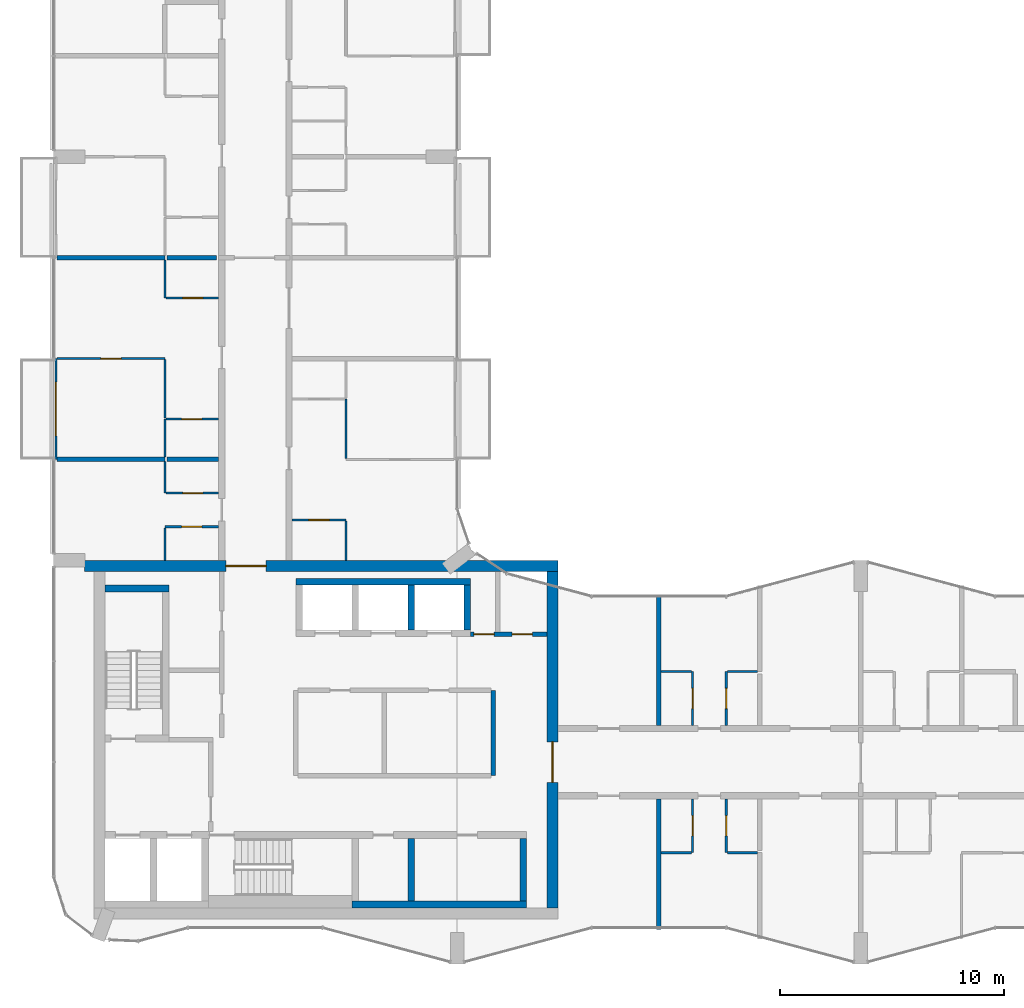
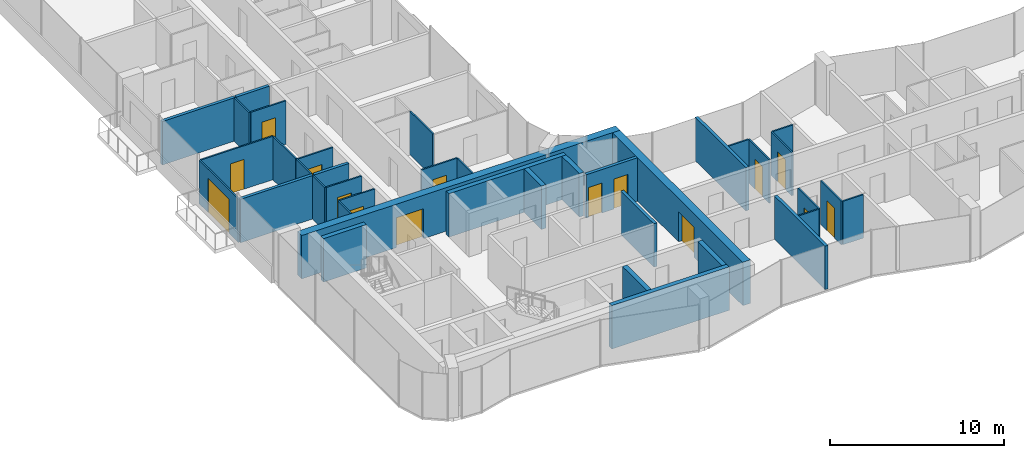
# One storey, part 10 of 17: 39 walls, 15 doors, 15 openings.
"""IFC4 building model written with IfcOpenShell, lengths in metres."""

from ifc_helpers import new_model, si_unit, direction, frame, frame_2d, origin, place, context, subcontext, project, spatial, rectangle, extrude, material, layer, layer_set, type_object, element, fill, save


model = new_model("IFC4")

# Units and contexts
model_context = context("Model", 3, precision=1e-05, world=origin(), true_north=direction((0.0, 1.0)))
body_context = subcontext(model_context, "Body", "Model", "MODEL_VIEW")
ifc_project = project(units=[si_unit("LENGTHUNIT", "METRE"), si_unit("AREAUNIT", "SQUARE_METRE"), si_unit("VOLUMEUNIT", "CUBIC_METRE"), si_unit("PLANEANGLEUNIT", "RADIAN"), si_unit("MASSUNIT", "GRAM", prefix="KILO")], contexts=[model_context])

# Site, building, storey
site_placement = place(None, origin())
site = spatial("IfcSite", under=ifc_project, at=site_placement, CompositionType="ELEMENT")
building_placement = place(site_placement, origin())
building = spatial("IfcBuilding", under=site, at=building_placement, Name="Plateau Cross Towers", CompositionType="ELEMENT")
storey_placement = place(building_placement, frame((0.0, 0.0, 225.89990234375)))
storey = spatial("IfcBuildingStorey", under=building, at=storey_placement, Name="L59", CompositionType="ELEMENT", Elevation=225.89990234375)

# Wall, opening, door
ifc_material_1 = material(Name="Aluminium framed glazing", Category="aluminium")
ifc_layer_1 = layer(ifc_material_1, 0.10009765625)
ifc_layer_set_1 = layer_set([ifc_layer_1], Name="Aluminium framed glazing")
wall_type_1 = type_object("IfcWallType", Name="Balcony screen wall 100", PredefinedType="STANDARD", material=ifc_layer_set_1)
wall_1_placement = place(storey_placement, frame((0.10009765625, 22.5, 0.0), z_axis=(0.0, 0.0, 1.0), x_axis=(0.0, 1.0, 0.0)))
wall_1 = element("IfcWall", 1, at=wall_1_placement, inside=storey, type_object=wall_type_1, Name="Balcony screen wall A-BAL-L59-01", PredefinedType="STANDARD", context=body_context, shape_type="SweptSolid", body=[
    extrude(rectangle(XDim=4.5, YDim=0.10009765625, at=frame_2d((2.25, 0.0))), origin(), (0.0, 0.0, 1.0), 3.050048828125),
])
opening_1_placement = place(wall_1_placement, frame((1.050048828125, 0.0, 0.0)))
opening_1 = element("IfcOpeningElement", 2, at=opening_1_placement, cuts=wall_1, Name="Opening D-B24", PredefinedType="OPENING", context=body_context, shape_type="SweptSolid", body=[
    extrude(rectangle(XDim=2.39990234375, YDim=2.39990234375, at=frame_2d((1.199951171875, 1.199951171875))), frame((0.0, 0.06005859375, 0.0), z_axis=(0.0, -1.0, 0.0), x_axis=(1.0, 0.0, 0.0)), (0.0, 0.0, 1.0), 0.1201171875),
])
ifc_material_2 = material(Name="Aluminium frame, double glazing", Category="aluminium")
door_type_1 = type_object("IfcDoorType", Name="Balcony sliding door 2400", OperationType="NOTDEFINED", PredefinedType="DOOR", material=ifc_material_2)
door_1_placement = place(opening_1_placement, origin())
door_1 = element("IfcDoor", 3, at=door_1_placement, inside=storey, type_object=door_type_1, Name="Balcony door A-BAL-L59-01", OperationType="SINGLE_SWING_LEFT", OverallHeight=2.39990234375, OverallWidth=2.39990234375, PredefinedType="DOOR", context=body_context, shape_type="SweptSolid", body=[
    extrude(rectangle(XDim=2.39990234375, YDim=2.39990234375, at=frame_2d((1.199951171875, 1.199951171875))), frame((0.0, 0.02490234375, 0.0), z_axis=(0.0, -1.0, 0.0), x_axis=(1.0, 0.0, 0.0)), (0.0, 0.0, 1.0), 0.050048828125),
])
fill(opening_1, door_1)

# Wall
ifc_material_3 = material(Name="Concrete block, plastered both sides", Category="concrete")
ifc_layer_2 = layer(ifc_material_3, 0.199951171875)
ifc_layer_set_2 = layer_set([ifc_layer_2], Name="Concrete block, plastered both sides")
wall_type_2 = type_object("IfcWallType", Name="Core partition 200", PredefinedType="PARTITIONING", material=ifc_layer_set_2)
wall_2_placement = place(storey_placement, frame((19.60009765625, 8.39990234375, 0.0), z_axis=(0.0, 0.0, 1.0), x_axis=(0.0, 1.0, 0.0)))
element("IfcWall", 4, at=wall_2_placement, inside=storey, type_object=wall_type_2, Name="Core partition", PredefinedType="PARTITIONING", context=body_context, shape_type="SweptSolid", body=[
    extrude(rectangle(XDim=3.800048828125, YDim=0.199951171875, at=frame_2d((1.89990234375, 0.0))), origin(), (0.0, 0.0, 1.0), 3.050048828125),
])

# Wall, openings, doors
wall_3_placement = place(storey_placement, frame((18.60009765625, 14.699951171875, 0.0), z_axis=(0.0, 0.0, 1.0), x_axis=(1.0, 0.0, 0.0)))
wall_3 = element("IfcWall", 5, at=wall_3_placement, inside=storey, type_object=wall_type_2, Name="Core partition", PredefinedType="PARTITIONING", context=body_context, shape_type="SweptSolid", body=[
    extrude(rectangle(XDim=3.39990234375, YDim=0.199951171875, at=frame_2d((1.699951171875, 0.0))), origin(), (0.0, 0.0, 1.0), 3.050048828125),
])
opening_2_placement = place(wall_3_placement, frame((0.14990234375, 0.0, 0.0)))
opening_2 = element("IfcOpeningElement", 6, at=opening_2_placement, cuts=wall_3, Name="Opening RD2", PredefinedType="OPENING", context=body_context, shape_type="SweptSolid", body=[
    extrude(rectangle(XDim=0.89990234375, YDim=2.10009765625, at=frame_2d((0.449951171875, 1.050048828125))), frame((0.0, 0.10986328125, 0.0), z_axis=(0.0, -1.0, 0.0), x_axis=(1.0, 0.0, 0.0)), (0.0, 0.0, 1.0), 0.219970703125),
])
opening_3_placement = place(wall_3_placement, frame((1.85009765625, 0.0, 0.0)))
opening_3 = element("IfcOpeningElement", 7, at=opening_3_placement, cuts=wall_3, Name="Opening RD2", PredefinedType="OPENING", context=body_context, shape_type="SweptSolid", body=[
    extrude(rectangle(XDim=0.89990234375, YDim=2.10009765625, at=frame_2d((0.449951171875, 1.050048828125))), frame((0.0, 0.10986328125, 0.0), z_axis=(0.0, -1.0, 0.0), x_axis=(1.0, 0.0, 0.0)), (0.0, 0.0, 1.0), 0.219970703125),
])
ifc_material_4 = material(Name="Steel, fire-resisting leaf", Category="steel")
door_type_2 = type_object("IfcDoorType", Name="Core riser door 900", OperationType="NOTDEFINED", PredefinedType="DOOR", material=ifc_material_4)
door_2_placement = place(opening_2_placement, origin())
door_2 = element("IfcDoor", 8, at=door_2_placement, inside=storey, type_object=door_type_2, Name="Core riser door RD2", OperationType="SINGLE_SWING_LEFT", OverallHeight=2.10009765625, OverallWidth=0.89990234375, PredefinedType="DOOR", context=body_context, shape_type="SweptSolid", body=[
    extrude(rectangle(XDim=0.89990234375, YDim=2.10009765625, at=frame_2d((0.449951171875, 1.050048828125))), frame((0.0, 0.02490234375, 0.0), z_axis=(0.0, -1.0, 0.0), x_axis=(1.0, 0.0, 0.0)), (0.0, 0.0, 1.0), 0.050048828125),
])
fill(opening_2, door_2)
door_3_placement = place(opening_3_placement, origin())
door_3 = element("IfcDoor", 9, at=door_3_placement, inside=storey, type_object=door_type_2, Name="Core riser door RD2", OperationType="SINGLE_SWING_LEFT", OverallHeight=2.10009765625, OverallWidth=0.89990234375, PredefinedType="DOOR", context=body_context, shape_type="SweptSolid", body=[
    extrude(rectangle(XDim=0.89990234375, YDim=2.10009765625, at=frame_2d((0.449951171875, 1.050048828125))), frame((0.0, 0.02490234375, 0.0), z_axis=(0.0, -1.0, 0.0), x_axis=(1.0, 0.0, 0.0)), (0.0, 0.0, 1.0), 0.050048828125),
])
fill(opening_3, door_3)

# Walls
ifc_material_5 = material(Name="Concrete C60/75", Category="concrete")
ifc_layer_3 = layer(ifc_material_5, 0.300048828125)
ifc_layer_set_3 = layer_set([ifc_layer_3], Name="Concrete C60/75")
wall_type_3 = type_object("IfcWallType", Name="Core shaft wall 300", PredefinedType="SHEAR", material=ifc_layer_set_3)
wall_4_placement = place(storey_placement, frame((13.300048828125, 2.64990234375, 0.0), z_axis=(0.0, 0.0, 1.0), x_axis=(1.0, 0.0, 0.0)))
element("IfcWall", 10, at=wall_4_placement, inside=storey, type_object=wall_type_3, Name="A-sb-back3@L59", PredefinedType="SHEAR", context=body_context, shape_type="SweptSolid", body=[
    extrude(rectangle(XDim=7.800048828125, YDim=0.300048828125, at=frame_2d((3.89990234375, 0.0))), origin(), (0.0, 0.0, 1.0), 3.050048828125),
])
for number, where, z_axis, x_axis, name in (
    (11, (15.949951171875, 2.800048828125, 0.0), (0.0, 0.0, 1.0), (0.0, 1.0, 0.0), "A-sb-v4@L59"),
    (12, (20.949951171875, 2.800048828125, 0.0), (0.0, 0.0, 1.0), (0.0, 1.0, 0.0), "A-sb-v6@L59"),
):
    element("IfcWall", number, at=place(storey_placement, frame(where, z_axis=z_axis, x_axis=x_axis)), inside=storey, type_object=wall_type_3, Name=name, PredefinedType="SHEAR", context=body_context, shape_type="SweptSolid", body=[
        extrude(rectangle(XDim=2.800048828125, YDim=0.300048828125, at=frame_2d((1.39990234375, 0.0))), origin(), (0.0, 0.0, 1.0), 3.050048828125),
    ])
wall_5_placement = place(storey_placement, frame((2.300048828125, 16.75, 0.0), z_axis=(0.0, 0.0, 1.0), x_axis=(1.0, 0.0, 0.0)))
element("IfcWall", 13, at=wall_5_placement, inside=storey, type_object=wall_type_3, Name="A-st1-N@L59", PredefinedType="SHEAR", context=body_context, shape_type="SweptSolid", body=[
    extrude(rectangle(XDim=2.849853515625, YDim=0.300048828125, at=frame_2d((1.4248046875, 0.0))), origin(), (0.0, 0.0, 1.0), 3.050048828125),
])
wall_6_placement = place(storey_placement, frame((10.800048828125, 17.050048828125, 0.0), z_axis=(0.0, 0.0, 1.0), x_axis=(1.0, 0.0, 0.0)))
element("IfcWall", 14, at=wall_6_placement, inside=storey, type_object=wall_type_3, Name="A-nb-back@L59", PredefinedType="SHEAR", context=body_context, shape_type="SweptSolid", body=[
    extrude(rectangle(XDim=7.800048828125, YDim=0.300048828125, at=frame_2d((3.89990234375, 0.0))), origin(), (0.0, 0.0, 1.0), 3.050048828125),
])
for number, where, z_axis, x_axis, name in (
    (15, (15.949951171875, 14.89990234375, 0.0), (0.0, 0.0, 1.0), (0.0, 1.0, 0.0), "A-nb-v3@L59"),
    (16, (18.449951171875, 14.89990234375, 0.0), (0.0, 0.0, 1.0), (0.0, 1.0, 0.0), "A-nb-v4@L59"),
):
    element("IfcWall", number, at=place(storey_placement, frame(where, z_axis=z_axis, x_axis=x_axis)), inside=storey, type_object=wall_type_3, Name=name, PredefinedType="SHEAR", context=body_context, shape_type="SweptSolid", body=[
        extrude(rectangle(XDim=2.0, YDim=0.300048828125, at=frame_2d((1.0, 0.0))), origin(), (0.0, 0.0, 1.0), 3.050048828125),
    ])

# Wall, opening, door
ifc_layer_4 = layer(ifc_material_5, 0.5)
ifc_layer_set_4 = layer_set([ifc_layer_4], Name="Concrete C60/75")
wall_type_4 = type_object("IfcWallType", Name="Core shell wall 500", PredefinedType="SHEAR", material=ifc_layer_set_4)
wall_7_placement = place(storey_placement, frame((1.3798828125, 17.75, 0.0), z_axis=(0.0, 0.0, 1.0), x_axis=(1.0, 0.0, 0.0)))
wall_7 = element("IfcWall", 17, at=wall_7_placement, inside=storey, type_object=wall_type_4, Name="A-core-N@L59", PredefinedType="SHEAR", context=body_context, shape_type="SweptSolid", body=[
    extrude(rectangle(XDim=21.1201171875, YDim=0.5, at=frame_2d((10.56005859375, 0.0))), origin(), (0.0, 0.0, 1.0), 3.050048828125),
])
opening_4_placement = place(wall_7_placement, frame((6.300048828125, 0.0, 0.0)))
opening_4 = element("IfcOpeningElement", 18, at=opening_4_placement, cuts=wall_7, Name="Opening CD", PredefinedType="OPENING", context=body_context, shape_type="SweptSolid", body=[
    extrude(rectangle(XDim=1.800048828125, YDim=2.10009765625, at=frame_2d((0.89990234375, 1.050048828125))), frame((0.0, 0.260009765625, 0.0), z_axis=(0.0, -1.0, 0.0), x_axis=(1.0, 0.0, 0.0)), (0.0, 0.0, 1.0), 0.52001953125),
])
ifc_material_6 = material(Name="Steel, fire-resisting leaves", Category="steel")
door_type_3 = type_object("IfcDoorType", Name="Corridor door pair 1800", OperationType="NOTDEFINED", PredefinedType="DOOR", material=ifc_material_6)
door_4_placement = place(opening_4_placement, origin())
door_4 = element("IfcDoor", 19, at=door_4_placement, inside=storey, type_object=door_type_3, Name="Corridor door pair CD", OperationType="DOUBLE_DOOR_SINGLE_SWING", OverallHeight=2.10009765625, OverallWidth=1.800048828125, PredefinedType="DOOR", context=body_context, shape_type="SweptSolid", body=[
    extrude(rectangle(XDim=1.800048828125, YDim=2.10009765625, at=frame_2d((0.89990234375, 1.050048828125))), frame((0.0, 0.02490234375, 0.0), z_axis=(0.0, -1.0, 0.0), x_axis=(1.0, 0.0, 0.0)), (0.0, 0.0, 1.0), 0.050048828125),
])
fill(opening_4, door_4)

wall_8_placement = place(storey_placement, frame((22.25, 2.5, 0.0), z_axis=(0.0, 0.0, 1.0), x_axis=(0.0, 1.0, 0.0)))
wall_8 = element("IfcWall", 20, at=wall_8_placement, inside=storey, type_object=wall_type_4, Name="A-core-E@L59", PredefinedType="SHEAR", context=body_context, shape_type="SweptSolid", body=[
    extrude(rectangle(XDim=15.0, YDim=0.5, at=frame_2d((7.5, 0.0))), origin(), (0.0, 0.0, 1.0), 3.050048828125),
])
opening_5_placement = place(wall_8_placement, frame((5.60009765625, 0.0, 0.0)))
opening_5 = element("IfcOpeningElement", 21, at=opening_5_placement, cuts=wall_8, Name="Opening CD", PredefinedType="OPENING", context=body_context, shape_type="SweptSolid", body=[
    extrude(rectangle(XDim=1.800048828125, YDim=2.10009765625, at=frame_2d((0.89990234375, 1.050048828125))), frame((0.0, 0.260009765625, 0.0), z_axis=(0.0, -1.0, 0.0), x_axis=(1.0, 0.0, 0.0)), (0.0, 0.0, 1.0), 0.52001953125),
])
door_5_placement = place(opening_5_placement, origin())
door_5 = element("IfcDoor", 22, at=door_5_placement, inside=storey, type_object=door_type_3, Name="Corridor door pair CD", OperationType="DOUBLE_DOOR_SINGLE_SWING", OverallHeight=2.10009765625, OverallWidth=1.800048828125, PredefinedType="DOOR", context=body_context, shape_type="SweptSolid", body=[
    extrude(rectangle(XDim=1.800048828125, YDim=2.10009765625, at=frame_2d((0.89990234375, 1.050048828125))), frame((0.0, 0.02490234375, 0.0), z_axis=(0.0, -1.0, 0.0), x_axis=(1.0, 0.0, 0.0)), (0.0, 0.0, 1.0), 0.050048828125),
])
fill(opening_5, door_5)

# Walls
ifc_material_7 = material(Name="Gypsum board on steel studs", Category="steel")
ifc_layer_5 = layer(ifc_material_7, 0.10009765625)
ifc_layer_set_5 = layer_set([ifc_layer_5], Name="Gypsum board on steel studs")
wall_type_5 = type_object("IfcWallType", Name="Flat partition 100", PredefinedType="PARTITIONING", material=ifc_layer_set_5)
for number, where, z_axis, x_axis, name in (
    (23, (27.10009765625, 4.96240234375, 0.0), (0.0, 0.0, 1.0), (1.0, 0.0, 0.0), "Partition wall"),
    (24, (30.050048828125, 4.96240234375, 0.0), (0.0, 0.0, 1.0), (1.0, 0.0, 0.0), "Partition wall"),
    (25, (28.449951171875, 13.03759765625, 0.0), (0.0, 0.0, 1.0), (-1.0, 0.0, 0.0), "Partition wall"),
    (26, (31.39990234375, 13.03759765625, 0.0), (0.0, 0.0, 1.0), (-1.0, 0.0, 0.0), "Partition wall"),
):
    element("IfcWall", number, at=place(storey_placement, frame(where, z_axis=z_axis, x_axis=x_axis)), inside=storey, type_object=wall_type_5, Name=name, PredefinedType="PARTITIONING", context=body_context, shape_type="SweptSolid", body=[
        extrude(rectangle(XDim=1.349853515625, YDim=0.10009765625, at=frame_2d((0.6748046875, 0.0))), origin(), (0.0, 0.0, 1.0), 3.050048828125),
    ])

# Wall, opening, door
wall_9_placement = place(storey_placement, frame((7.362548828125, 19.5, 0.0), z_axis=(0.0, 0.0, 1.0), x_axis=(-1.0, 0.0, 0.0)))
wall_9 = element("IfcWall", 27, at=wall_9_placement, inside=storey, type_object=wall_type_5, Name="Partition wall", PredefinedType="PARTITIONING", context=body_context, shape_type="SweptSolid", body=[
    extrude(rectangle(XDim=2.400146484375, YDim=0.10009765625, at=frame_2d((1.2001953125, 0.0))), origin(), (0.0, 0.0, 1.0), 3.050048828125),
])
opening_6_placement = place(wall_9_placement, frame((0.75, 0.0, 0.0)))
opening_6 = element("IfcOpeningElement", 28, at=opening_6_placement, cuts=wall_9, Name="Opening 59-35", PredefinedType="OPENING", context=body_context, shape_type="SweptSolid", body=[
    extrude(rectangle(XDim=0.89990234375, YDim=2.10009765625, at=frame_2d((0.449951171875, 1.050048828125))), frame((0.0, 0.06005859375, 0.0), z_axis=(0.0, -1.0, 0.0), x_axis=(1.0, 0.0, 0.0)), (0.0, 0.0, 1.0), 0.1201171875),
])
ifc_material_8 = material(Name="Timber leaf", Category="wood")
door_type_4 = type_object("IfcDoorType", Name="Flat room door 900", OperationType="NOTDEFINED", PredefinedType="DOOR", material=ifc_material_8)
door_6_placement = place(opening_6_placement, origin())
door_6 = element("IfcDoor", 29, at=door_6_placement, inside=storey, type_object=door_type_4, Name="Door 59-35", OperationType="SINGLE_SWING_RIGHT", OverallHeight=2.10009765625, OverallWidth=0.89990234375, PredefinedType="DOOR", context=body_context, shape_type="SweptSolid", body=[
    extrude(rectangle(XDim=0.89990234375, YDim=2.10009765625, at=frame_2d((0.449951171875, 1.050048828125))), frame((0.0, 0.02490234375, 0.0), z_axis=(0.0, -1.0, 0.0), x_axis=(1.0, 0.0, 0.0)), (0.0, 0.0, 1.0), 0.050048828125),
])
fill(opening_6, door_6)

wall_10_placement = place(storey_placement, frame((13.03759765625, 19.800048828125, 0.0), z_axis=(0.0, 0.0, 1.0), x_axis=(-1.0, 0.0, 0.0)))
wall_10 = element("IfcWall", 30, at=wall_10_placement, inside=storey, type_object=wall_type_5, Name="Partition wall", PredefinedType="PARTITIONING", context=body_context, shape_type="SweptSolid", body=[
    extrude(rectangle(XDim=2.400146484375, YDim=0.10009765625, at=frame_2d((1.2001953125, 0.0))), origin(), (0.0, 0.0, 1.0), 3.050048828125),
])
opening_7_placement = place(wall_10_placement, frame((0.75, 0.0, 0.0)))
opening_7 = element("IfcOpeningElement", 31, at=opening_7_placement, cuts=wall_10, Name="Opening 59-43", PredefinedType="OPENING", context=body_context, shape_type="SweptSolid", body=[
    extrude(rectangle(XDim=0.89990234375, YDim=2.10009765625, at=frame_2d((0.449951171875, 1.050048828125))), frame((0.0, 0.06005859375, 0.0), z_axis=(0.0, -1.0, 0.0), x_axis=(1.0, 0.0, 0.0)), (0.0, 0.0, 1.0), 0.1201171875),
])
door_7_placement = place(opening_7_placement, origin())
door_7 = element("IfcDoor", 32, at=door_7_placement, inside=storey, type_object=door_type_4, Name="Door 59-43", OperationType="SINGLE_SWING_LEFT", OverallHeight=2.10009765625, OverallWidth=0.89990234375, PredefinedType="DOOR", context=body_context, shape_type="SweptSolid", body=[
    extrude(rectangle(XDim=0.89990234375, YDim=2.10009765625, at=frame_2d((0.449951171875, 1.050048828125))), frame((0.0, 0.02490234375, 0.0), z_axis=(0.0, -1.0, 0.0), x_axis=(1.0, 0.0, 0.0)), (0.0, 0.0, 1.0), 0.050048828125),
])
fill(opening_7, door_7)

wall_11_placement = place(storey_placement, frame((5.012451171875, 21.0, 0.0), z_axis=(0.0, 0.0, 1.0), x_axis=(1.0, 0.0, 0.0)))
wall_11 = element("IfcWall", 33, at=wall_11_placement, inside=storey, type_object=wall_type_5, Name="Partition wall", PredefinedType="PARTITIONING", context=body_context, shape_type="SweptSolid", body=[
    extrude(rectangle(XDim=2.35009765625, YDim=0.10009765625, at=frame_2d((1.175048828125, 0.0))), origin(), (0.0, 0.0, 1.0), 3.050048828125),
])
opening_8_placement = place(wall_11_placement, frame((0.75, 0.0, 0.0)))
opening_8 = element("IfcOpeningElement", 34, at=opening_8_placement, cuts=wall_11, Name="Opening 59-36", PredefinedType="OPENING", context=body_context, shape_type="SweptSolid", body=[
    extrude(rectangle(XDim=0.89990234375, YDim=2.10009765625, at=frame_2d((0.449951171875, 1.050048828125))), frame((0.0, 0.06005859375, 0.0), z_axis=(0.0, -1.0, 0.0), x_axis=(1.0, 0.0, 0.0)), (0.0, 0.0, 1.0), 0.1201171875),
])
door_8_placement = place(opening_8_placement, origin())
door_8 = element("IfcDoor", 35, at=door_8_placement, inside=storey, type_object=door_type_4, Name="Door 59-36", OperationType="SINGLE_SWING_RIGHT", OverallHeight=2.10009765625, OverallWidth=0.89990234375, PredefinedType="DOOR", context=body_context, shape_type="SweptSolid", body=[
    extrude(rectangle(XDim=0.89990234375, YDim=2.10009765625, at=frame_2d((0.449951171875, 1.050048828125))), frame((0.0, 0.02490234375, 0.0), z_axis=(0.0, -1.0, 0.0), x_axis=(1.0, 0.0, 0.0)), (0.0, 0.0, 1.0), 0.050048828125),
])
fill(opening_8, door_8)

wall_12_placement = place(storey_placement, frame((7.362548828125, 24.300048828125, 0.0), z_axis=(0.0, 0.0, 1.0), x_axis=(-1.0, 0.0, 0.0)))
wall_12 = element("IfcWall", 36, at=wall_12_placement, inside=storey, type_object=wall_type_5, Name="Partition wall", PredefinedType="PARTITIONING", context=body_context, shape_type="SweptSolid", body=[
    extrude(rectangle(XDim=2.35009765625, YDim=0.10009765625, at=frame_2d((1.175048828125, 0.0))), origin(), (0.0, 0.0, 1.0), 3.050048828125),
])
opening_9_placement = place(wall_12_placement, frame((0.75, 0.0, 0.0)))
opening_9 = element("IfcOpeningElement", 37, at=opening_9_placement, cuts=wall_12, Name="Opening 59-37", PredefinedType="OPENING", context=body_context, shape_type="SweptSolid", body=[
    extrude(rectangle(XDim=0.89990234375, YDim=2.10009765625, at=frame_2d((0.449951171875, 1.050048828125))), frame((0.0, 0.06005859375, 0.0), z_axis=(0.0, -1.0, 0.0), x_axis=(1.0, 0.0, 0.0)), (0.0, 0.0, 1.0), 0.1201171875),
])
door_9_placement = place(opening_9_placement, origin())
door_9 = element("IfcDoor", 38, at=door_9_placement, inside=storey, type_object=door_type_4, Name="Door 59-37", OperationType="SINGLE_SWING_RIGHT", OverallHeight=2.10009765625, OverallWidth=0.89990234375, PredefinedType="DOOR", context=body_context, shape_type="SweptSolid", body=[
    extrude(rectangle(XDim=0.89990234375, YDim=2.10009765625, at=frame_2d((0.449951171875, 1.050048828125))), frame((0.0, 0.02490234375, 0.0), z_axis=(0.0, -1.0, 0.0), x_axis=(1.0, 0.0, 0.0)), (0.0, 0.0, 1.0), 0.050048828125),
])
fill(opening_9, door_9)

wall_13_placement = place(storey_placement, frame((4.96240234375, 27.0, 0.0), z_axis=(0.0, 0.0, 1.0), x_axis=(-1.0, 0.0, 0.0)))
wall_13 = element("IfcWall", 39, at=wall_13_placement, inside=storey, type_object=wall_type_5, Name="Partition wall", PredefinedType="PARTITIONING", context=body_context, shape_type="SweptSolid", body=[
    extrude(rectangle(XDim=4.8125, YDim=0.10009765625, at=frame_2d((2.40625, 0.0))), origin(), (0.0, 0.0, 1.0), 3.050048828125),
])
opening_10_placement = place(wall_13_placement, frame((1.949951171875, 0.0, 0.0)))
opening_10 = element("IfcOpeningElement", 40, at=opening_10_placement, cuts=wall_13, Name="Opening 59-39", PredefinedType="OPENING", context=body_context, shape_type="SweptSolid", body=[
    extrude(rectangle(XDim=0.89990234375, YDim=2.10009765625, at=frame_2d((0.449951171875, 1.050048828125))), frame((0.0, 0.06005859375, 0.0), z_axis=(0.0, -1.0, 0.0), x_axis=(1.0, 0.0, 0.0)), (0.0, 0.0, 1.0), 0.1201171875),
])
door_10_placement = place(opening_10_placement, origin())
door_10 = element("IfcDoor", 41, at=door_10_placement, inside=storey, type_object=door_type_4, Name="Door 59-39", OperationType="SINGLE_SWING_LEFT", OverallHeight=2.10009765625, OverallWidth=0.89990234375, PredefinedType="DOOR", context=body_context, shape_type="SweptSolid", body=[
    extrude(rectangle(XDim=0.89990234375, YDim=2.10009765625, at=frame_2d((0.449951171875, 1.050048828125))), frame((0.0, 0.02490234375, 0.0), z_axis=(0.0, -1.0, 0.0), x_axis=(1.0, 0.0, 0.0)), (0.0, 0.0, 1.0), 0.050048828125),
])
fill(opening_10, door_10)

wall_14_placement = place(storey_placement, frame((5.012451171875, 29.699951171875, 0.0), z_axis=(0.0, 0.0, 1.0), x_axis=(1.0, 0.0, 0.0)))
wall_14 = element("IfcWall", 42, at=wall_14_placement, inside=storey, type_object=wall_type_5, Name="Partition wall", PredefinedType="PARTITIONING", context=body_context, shape_type="SweptSolid", body=[
    extrude(rectangle(XDim=2.35009765625, YDim=0.10009765625, at=frame_2d((1.175048828125, 0.0))), origin(), (0.0, 0.0, 1.0), 3.050048828125),
])
opening_11_placement = place(wall_14_placement, frame((0.75, 0.0, 0.0)))
opening_11 = element("IfcOpeningElement", 43, at=opening_11_placement, cuts=wall_14, Name="Opening 59-38", PredefinedType="OPENING", context=body_context, shape_type="SweptSolid", body=[
    extrude(rectangle(XDim=0.89990234375, YDim=2.10009765625, at=frame_2d((0.449951171875, 1.050048828125))), frame((0.0, 0.06005859375, 0.0), z_axis=(0.0, -1.0, 0.0), x_axis=(1.0, 0.0, 0.0)), (0.0, 0.0, 1.0), 0.1201171875),
])
door_11_placement = place(opening_11_placement, origin())
door_11 = element("IfcDoor", 44, at=door_11_placement, inside=storey, type_object=door_type_4, Name="Door 59-38", OperationType="SINGLE_SWING_RIGHT", OverallHeight=2.10009765625, OverallWidth=0.89990234375, PredefinedType="DOOR", context=body_context, shape_type="SweptSolid", body=[
    extrude(rectangle(XDim=0.89990234375, YDim=2.10009765625, at=frame_2d((0.449951171875, 1.050048828125))), frame((0.0, 0.02490234375, 0.0), z_axis=(0.0, -1.0, 0.0), x_axis=(1.0, 0.0, 0.0)), (0.0, 0.0, 1.0), 0.050048828125),
])
fill(opening_11, door_11)

# Walls
wall_15_placement = place(storey_placement, frame((4.96240234375, 19.449951171875, 0.0), z_axis=(0.0, 0.0, 1.0), x_axis=(0.0, -1.0, 0.0)))
element("IfcWall", 45, at=wall_15_placement, inside=storey, type_object=wall_type_5, Name="Partition wall", PredefinedType="PARTITIONING", context=body_context, shape_type="SweptSolid", body=[
    extrude(rectangle(XDim=1.449951171875, YDim=0.10009765625, at=frame_2d((0.72509765625, 0.0))), origin(), (0.0, 0.0, 1.0), 3.050048828125),
])
wall_16_placement = place(storey_placement, frame((4.96240234375, 22.39990234375, 0.0), z_axis=(0.0, 0.0, 1.0), x_axis=(0.0, -1.0, 0.0)))
element("IfcWall", 46, at=wall_16_placement, inside=storey, type_object=wall_type_5, Name="Partition wall", PredefinedType="PARTITIONING", context=body_context, shape_type="SweptSolid", body=[
    extrude(rectangle(XDim=1.39990234375, YDim=0.10009765625, at=frame_2d((0.699951171875, 0.0))), origin(), (0.0, 0.0, 1.0), 3.050048828125),
])
for number, where, z_axis, x_axis, name in (
    (47, (4.96240234375, 24.300048828125, 0.0), (0.0, 0.0, 1.0), (0.0, -1.0, 0.0), "Partition wall"),
    (48, (4.96240234375, 31.39990234375, 0.0), (0.0, 0.0, 1.0), (0.0, -1.0, 0.0), "Partition wall"),
):
    element("IfcWall", number, at=place(storey_placement, frame(where, z_axis=z_axis, x_axis=x_axis)), inside=storey, type_object=wall_type_5, Name=name, PredefinedType="PARTITIONING", context=body_context, shape_type="SweptSolid", body=[
        extrude(rectangle(XDim=1.699951171875, YDim=0.10009765625, at=frame_2d((0.85009765625, 0.0))), origin(), (0.0, 0.0, 1.0), 3.050048828125),
    ])
wall_17_placement = place(storey_placement, frame((4.96240234375, 24.35009765625, 0.0), z_axis=(0.0, 0.0, 1.0), x_axis=(0.0, 1.0, 0.0)))
element("IfcWall", 49, at=wall_17_placement, inside=storey, type_object=wall_type_5, Name="Partition wall", PredefinedType="PARTITIONING", context=body_context, shape_type="SweptSolid", body=[
    extrude(rectangle(XDim=2.599853515625, YDim=0.10009765625, at=frame_2d((1.2998046875, 0.0))), origin(), (0.0, 0.0, 1.0), 3.050048828125),
])
wall_18_placement = place(storey_placement, frame((13.03759765625, 25.199951171875, 0.0), z_axis=(0.0, 0.0, 1.0), x_axis=(0.0, -1.0, 0.0)))
element("IfcWall", 50, at=wall_18_placement, inside=storey, type_object=wall_type_5, Name="Partition wall", PredefinedType="PARTITIONING", context=body_context, shape_type="SweptSolid", body=[
    extrude(rectangle(XDim=2.64990234375, YDim=0.10009765625, at=frame_2d((1.324951171875, 0.0))), origin(), (0.0, 0.0, 1.0), 3.050048828125),
])
wall_19_placement = place(storey_placement, frame((13.03759765625, 18.0, 0.0), z_axis=(0.0, 0.0, 1.0), x_axis=(0.0, 1.0, 0.0)))
element("IfcWall", 51, at=wall_19_placement, inside=storey, type_object=wall_type_5, Name="Partition wall", PredefinedType="PARTITIONING", context=body_context, shape_type="SweptSolid", body=[
    extrude(rectangle(XDim=1.75, YDim=0.10009765625, at=frame_2d((0.875, 0.0))), origin(), (0.0, 0.0, 1.0), 3.050048828125),
])

# Wall, opening, door
wall_20_placement = place(storey_placement, frame((28.5, 4.96240234375, 0.0), z_axis=(0.0, 0.0, 1.0), x_axis=(0.0, 1.0, 0.0)))
wall_20 = element("IfcWall", 52, at=wall_20_placement, inside=storey, type_object=wall_type_5, Name="Partition wall", PredefinedType="PARTITIONING", context=body_context, shape_type="SweptSolid", body=[
    extrude(rectangle(XDim=2.400146484375, YDim=0.10009765625, at=frame_2d((1.2001953125, 0.0))), origin(), (0.0, 0.0, 1.0), 3.050048828125),
])
opening_12_placement = place(wall_20_placement, frame((0.75, 0.0, 0.0)))
opening_12 = element("IfcOpeningElement", 53, at=opening_12_placement, cuts=wall_20, Name="Opening 59-24", PredefinedType="OPENING", context=body_context, shape_type="SweptSolid", body=[
    extrude(rectangle(XDim=0.89990234375, YDim=2.10009765625, at=frame_2d((0.449951171875, 1.050048828125))), frame((0.0, 0.06005859375, 0.0), z_axis=(0.0, -1.0, 0.0), x_axis=(1.0, 0.0, 0.0)), (0.0, 0.0, 1.0), 0.1201171875),
])
door_12_placement = place(opening_12_placement, origin())
door_12 = element("IfcDoor", 54, at=door_12_placement, inside=storey, type_object=door_type_4, Name="Door 59-24", OperationType="SINGLE_SWING_RIGHT", OverallHeight=2.10009765625, OverallWidth=0.89990234375, PredefinedType="DOOR", context=body_context, shape_type="SweptSolid", body=[
    extrude(rectangle(XDim=0.89990234375, YDim=2.10009765625, at=frame_2d((0.449951171875, 1.050048828125))), frame((0.0, 0.02490234375, 0.0), z_axis=(0.0, -1.0, 0.0), x_axis=(1.0, 0.0, 0.0)), (0.0, 0.0, 1.0), 0.050048828125),
])
fill(opening_12, door_12)

wall_21_placement = place(storey_placement, frame((28.5, 10.637451171875, 0.0), z_axis=(0.0, 0.0, 1.0), x_axis=(0.0, 1.0, 0.0)))
wall_21 = element("IfcWall", 55, at=wall_21_placement, inside=storey, type_object=wall_type_5, Name="Partition wall", PredefinedType="PARTITIONING", context=body_context, shape_type="SweptSolid", body=[
    extrude(rectangle(XDim=2.400146484375, YDim=0.10009765625, at=frame_2d((1.2001953125, 0.0))), origin(), (0.0, 0.0, 1.0), 3.050048828125),
])
opening_13_placement = place(wall_21_placement, frame((0.75, 0.0, 0.0)))
opening_13 = element("IfcOpeningElement", 56, at=opening_13_placement, cuts=wall_21, Name="Opening 59-31", PredefinedType="OPENING", context=body_context, shape_type="SweptSolid", body=[
    extrude(rectangle(XDim=0.89990234375, YDim=2.10009765625, at=frame_2d((0.449951171875, 1.050048828125))), frame((0.0, 0.06005859375, 0.0), z_axis=(0.0, -1.0, 0.0), x_axis=(1.0, 0.0, 0.0)), (0.0, 0.0, 1.0), 0.1201171875),
])
door_13_placement = place(opening_13_placement, origin())
door_13 = element("IfcDoor", 57, at=door_13_placement, inside=storey, type_object=door_type_4, Name="Door 59-31", OperationType="SINGLE_SWING_LEFT", OverallHeight=2.10009765625, OverallWidth=0.89990234375, PredefinedType="DOOR", context=body_context, shape_type="SweptSolid", body=[
    extrude(rectangle(XDim=0.89990234375, YDim=2.10009765625, at=frame_2d((0.449951171875, 1.050048828125))), frame((0.0, 0.02490234375, 0.0), z_axis=(0.0, -1.0, 0.0), x_axis=(1.0, 0.0, 0.0)), (0.0, 0.0, 1.0), 0.050048828125),
])
fill(opening_13, door_13)

wall_22_placement = place(storey_placement, frame((30.0, 7.362548828125, 0.0), z_axis=(0.0, 0.0, 1.0), x_axis=(0.0, -1.0, 0.0)))
wall_22 = element("IfcWall", 58, at=wall_22_placement, inside=storey, type_object=wall_type_5, Name="Partition wall", PredefinedType="PARTITIONING", context=body_context, shape_type="SweptSolid", body=[
    extrude(rectangle(XDim=2.400146484375, YDim=0.10009765625, at=frame_2d((1.2001953125, 0.0))), origin(), (0.0, 0.0, 1.0), 3.050048828125),
])
opening_14_placement = place(wall_22_placement, frame((0.75, 0.0, 0.0)))
opening_14 = element("IfcOpeningElement", 59, at=opening_14_placement, cuts=wall_22, Name="Opening 59-25", PredefinedType="OPENING", context=body_context, shape_type="SweptSolid", body=[
    extrude(rectangle(XDim=0.89990234375, YDim=2.10009765625, at=frame_2d((0.449951171875, 1.050048828125))), frame((0.0, 0.06005859375, 0.0), z_axis=(0.0, -1.0, 0.0), x_axis=(1.0, 0.0, 0.0)), (0.0, 0.0, 1.0), 0.1201171875),
])
door_14_placement = place(opening_14_placement, origin())
door_14 = element("IfcDoor", 60, at=door_14_placement, inside=storey, type_object=door_type_4, Name="Door 59-25", OperationType="SINGLE_SWING_RIGHT", OverallHeight=2.10009765625, OverallWidth=0.89990234375, PredefinedType="DOOR", context=body_context, shape_type="SweptSolid", body=[
    extrude(rectangle(XDim=0.89990234375, YDim=2.10009765625, at=frame_2d((0.449951171875, 1.050048828125))), frame((0.0, 0.02490234375, 0.0), z_axis=(0.0, -1.0, 0.0), x_axis=(1.0, 0.0, 0.0)), (0.0, 0.0, 1.0), 0.050048828125),
])
fill(opening_14, door_14)

wall_23_placement = place(storey_placement, frame((30.0, 13.03759765625, 0.0), z_axis=(0.0, 0.0, 1.0), x_axis=(0.0, -1.0, 0.0)))
wall_23 = element("IfcWall", 61, at=wall_23_placement, inside=storey, type_object=wall_type_5, Name="Partition wall", PredefinedType="PARTITIONING", context=body_context, shape_type="SweptSolid", body=[
    extrude(rectangle(XDim=2.400146484375, YDim=0.10009765625, at=frame_2d((1.2001953125, 0.0))), origin(), (0.0, 0.0, 1.0), 3.050048828125),
])
opening_15_placement = place(wall_23_placement, frame((0.75, 0.0, 0.0)))
opening_15 = element("IfcOpeningElement", 62, at=opening_15_placement, cuts=wall_23, Name="Opening 59-32", PredefinedType="OPENING", context=body_context, shape_type="SweptSolid", body=[
    extrude(rectangle(XDim=0.89990234375, YDim=2.10009765625, at=frame_2d((0.449951171875, 1.050048828125))), frame((0.0, 0.06005859375, 0.0), z_axis=(0.0, -1.0, 0.0), x_axis=(1.0, 0.0, 0.0)), (0.0, 0.0, 1.0), 0.1201171875),
])
door_15_placement = place(opening_15_placement, origin())
door_15 = element("IfcDoor", 63, at=door_15_placement, inside=storey, type_object=door_type_4, Name="Door 59-32", OperationType="SINGLE_SWING_LEFT", OverallHeight=2.10009765625, OverallWidth=0.89990234375, PredefinedType="DOOR", context=body_context, shape_type="SweptSolid", body=[
    extrude(rectangle(XDim=0.89990234375, YDim=2.10009765625, at=frame_2d((0.449951171875, 1.050048828125))), frame((0.0, 0.02490234375, 0.0), z_axis=(0.0, -1.0, 0.0), x_axis=(1.0, 0.0, 0.0)), (0.0, 0.0, 1.0), 0.050048828125),
])
fill(opening_15, door_15)

# Walls
ifc_material_9 = material(Name="Gypsum board on steel studs, two layers each side", Category="steel")
ifc_layer_6 = layer(ifc_material_9, 0.199951171875)
ifc_layer_set_6 = layer_set([ifc_layer_6], Name="Gypsum board on steel studs, two layers each side")
wall_type_6 = type_object("IfcWallType", Name="Flat party wall 200", PredefinedType="PARTITIONING", material=ifc_layer_set_6)
wall_24_placement = place(storey_placement, frame((7.362548828125, 22.5, 0.0), z_axis=(0.0, 0.0, 1.0), x_axis=(-1.0, 0.0, 0.0)))
element("IfcWall", 64, at=wall_24_placement, inside=storey, type_object=wall_type_6, Name="Party wall", PredefinedType="PARTITIONING", context=body_context, shape_type="SweptSolid", body=[
    extrude(rectangle(XDim=2.300048828125, YDim=0.199951171875, at=frame_2d((1.14990234375, 0.0))), origin(), (0.0, 0.0, 1.0), 3.050048828125),
])
wall_25_placement = place(storey_placement, frame((0.14990234375, 22.5, 0.0), z_axis=(0.0, 0.0, 1.0), x_axis=(1.0, 0.0, 0.0)))
element("IfcWall", 65, at=wall_25_placement, inside=storey, type_object=wall_type_6, Name="Party wall", PredefinedType="PARTITIONING", context=body_context, shape_type="SweptSolid", body=[
    extrude(rectangle(XDim=4.8125, YDim=0.199951171875, at=frame_2d((2.40625, 0.0))), origin(), (0.0, 0.0, 1.0), 3.050048828125),
])
wall_26_placement = place(storey_placement, frame((7.262451171875, 31.5, 0.0), z_axis=(0.0, 0.0, 1.0), x_axis=(-1.0, 0.0, 0.0)))
element("IfcWall", 66, at=wall_26_placement, inside=storey, type_object=wall_type_6, Name="Party wall", PredefinedType="PARTITIONING", context=body_context, shape_type="SweptSolid", body=[
    extrude(rectangle(XDim=2.199951171875, YDim=0.199951171875, at=frame_2d((1.10009765625, 0.0))), origin(), (0.0, 0.0, 1.0), 3.050048828125),
])
wall_27_placement = place(storey_placement, frame((0.14990234375, 31.5, 0.0), z_axis=(0.0, 0.0, 1.0), x_axis=(1.0, 0.0, 0.0)))
element("IfcWall", 67, at=wall_27_placement, inside=storey, type_object=wall_type_6, Name="Party wall", PredefinedType="PARTITIONING", context=body_context, shape_type="SweptSolid", body=[
    extrude(rectangle(XDim=4.8125, YDim=0.199951171875, at=frame_2d((2.40625, 0.0))), origin(), (0.0, 0.0, 1.0), 3.050048828125),
])
for number, where, z_axis, x_axis, name in (
    (68, (27.0, 1.52685546875, 0.0), (0.0, 0.0, 1.0), (0.0, 1.0, 0.0), "Party wall"),
    (69, (27.0, 10.637451171875, 0.0), (0.0, 0.0, 1.0), (0.0, 1.0, 0.0), "Party wall"),
):
    element("IfcWall", number, at=place(storey_placement, frame(where, z_axis=z_axis, x_axis=x_axis)), inside=storey, type_object=wall_type_6, Name=name, PredefinedType="PARTITIONING", context=body_context, shape_type="SweptSolid", body=[
        extrude(rectangle(XDim=5.835693359375, YDim=0.199951171875, at=frame_2d((2.91796875, 0.0))), origin(), (0.0, 0.0, 1.0), 3.050048828125),
    ])

save(model, "model.ifc")
